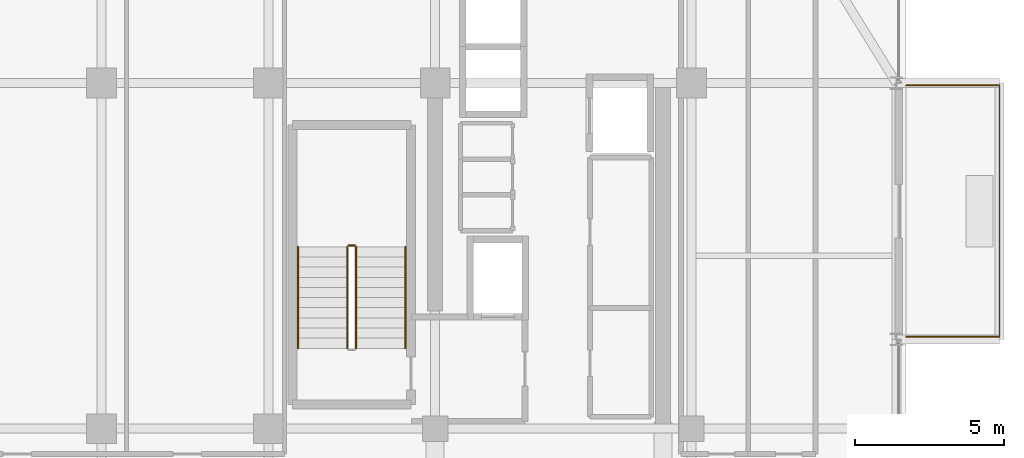
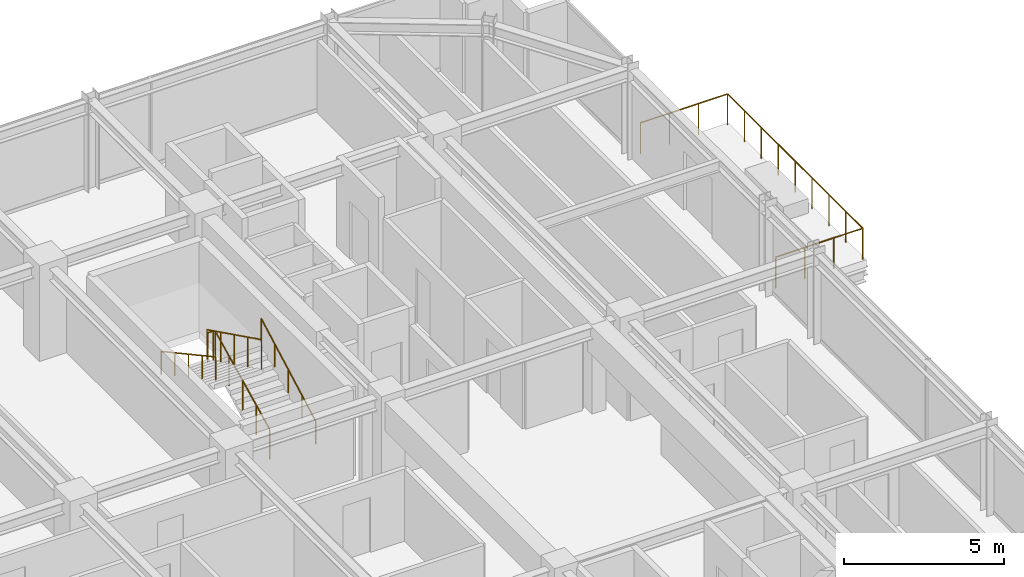
# One storey, part 35 of 36: 6 railings.
"""IFC4 building model written with IfcOpenShell, lengths in metres."""

from ifc_helpers import new_model, si_unit, direction, frame, origin, origin_2d, place, context, subcontext, project, spatial, circle, extrude, material, type_object, element, save


model = new_model("IFC4")

# Units and contexts
model_context = context("Model", 3, precision=1e-05, world=origin(), true_north=direction((0.0, 1.0)))
body_context = subcontext(model_context, "Body", "Model", "MODEL_VIEW")
ifc_project = project(units=[si_unit("LENGTHUNIT", "METRE"), si_unit("AREAUNIT", "SQUARE_METRE"), si_unit("VOLUMEUNIT", "CUBIC_METRE"), si_unit("PLANEANGLEUNIT", "RADIAN"), si_unit("MASSUNIT", "GRAM", prefix="KILO")], contexts=[model_context])

# Site, building, storey
site_placement = place(None, origin())
site = spatial("IfcSite", under=ifc_project, at=site_placement, CompositionType="ELEMENT")
building_placement = place(site_placement, origin())
building = spatial("IfcBuilding", under=site, at=building_placement, Name="Nahalor Promenade Grand Hotel", CompositionType="ELEMENT")
storey_placement = place(building_placement, frame((0.0, 0.0, 223.39990234375)))
storey = spatial("IfcBuildingStorey", under=building, at=storey_placement, Name="L57", CompositionType="ELEMENT", Elevation=223.39990234375)

# Railings
ifc_material_1 = material(Name="Anodised Bronze Aluminium EN AW-6063 T6", Category="aluminium")
railing_type_1 = type_object("IfcRailingType", Name="Bronze Balcony Guardrail 1200 mm", PredefinedType="GUARDRAIL", material=ifc_material_1)
railing_1_placement = place(storey_placement, frame((24.199951171875, 8.47998046875, 0.0)))
element("IfcRailing", 1, at=railing_1_placement, inside=storey, type_object=railing_type_1, Name="L57 Balcony Guardrail 2", PredefinedType="GUARDRAIL", context=body_context, shape_type="SweptSolid", body=[
    extrude(circle(Radius=0.024048, at=origin_2d()), frame((0.0, 0.0, 1.17578125), z_axis=(1.0, 0.0, 0.0), x_axis=(0.0, 1.0, 0.0)), (0.0, 0.0, 1.0), 3.13818359375),
    extrude(circle(Radius=0.024048, at=origin_2d()), frame((3.14013671875, 0.001953125, 1.17578125), z_axis=(0.0, 1.0, 0.0), x_axis=(-1.0, 0.0, 0.0)), (0.0, 0.0, 1.0), 8.43603515625),
    extrude(circle(Radius=0.024048, at=origin_2d()), frame((3.13818359375, 8.43994140625, 1.17578125), z_axis=(-1.0, 0.0, 0.0), x_axis=(0.0, -1.0, 0.0)), (0.0, 0.0, 1.0), 3.13818359375),
    extrude(circle(Radius=0.020996, at=origin_2d()), origin(), (0.0, 0.0, 1.0), 1.14990234375),
    extrude(circle(Radius=0.020996, at=origin_2d()), frame((1.046630859375, 0.0, 0.0)), (0.0, 0.0, 1.0), 1.14990234375),
    extrude(circle(Radius=0.020996, at=origin_2d()), frame((2.093505859375, 0.0, 0.0)), (0.0, 0.0, 1.0), 1.14990234375),
    extrude(circle(Radius=0.020996, at=origin_2d()), frame((3.14013671875, 0.0, 0.0)), (0.0, 0.0, 1.0), 1.14990234375),
    extrude(circle(Radius=0.020996, at=origin_2d()), frame((3.14013671875, 1.054931640625, 0.0)), (0.0, 0.0, 1.0), 1.14990234375),
    extrude(circle(Radius=0.020996, at=origin_2d()), frame((3.14013671875, 2.10986328125, 0.0)), (0.0, 0.0, 1.0), 1.14990234375),
    extrude(circle(Radius=0.020996, at=origin_2d()), frame((3.14013671875, 3.1650390625, 0.0)), (0.0, 0.0, 1.0), 1.14990234375),
    extrude(circle(Radius=0.020996, at=origin_2d()), frame((3.14013671875, 4.219970703125, 0.0)), (0.0, 0.0, 1.0), 1.14990234375),
    extrude(circle(Radius=0.020996, at=origin_2d()), frame((3.14013671875, 5.27490234375, 0.0)), (0.0, 0.0, 1.0), 1.14990234375),
    extrude(circle(Radius=0.020996, at=origin_2d()), frame((3.14013671875, 6.330078125, 0.0)), (0.0, 0.0, 1.0), 1.14990234375),
    extrude(circle(Radius=0.020996, at=origin_2d()), frame((3.14013671875, 7.385009765625, 0.0)), (0.0, 0.0, 1.0), 1.14990234375),
    extrude(circle(Radius=0.020996, at=origin_2d()), frame((3.14013671875, 8.43994140625, 0.0)), (0.0, 0.0, 1.0), 1.14990234375),
    extrude(circle(Radius=0.020996, at=origin_2d()), frame((2.093505859375, 8.43994140625, 0.0)), (0.0, 0.0, 1.0), 1.14990234375),
    extrude(circle(Radius=0.020996, at=origin_2d()), frame((1.046630859375, 8.43994140625, 0.0)), (0.0, 0.0, 1.0), 1.14990234375),
    extrude(circle(Radius=0.020996, at=origin_2d()), frame((0.0, 8.43994140625, 0.0)), (0.0, 0.0, 1.0), 1.14990234375),
])
ifc_material_2 = material(Name="Steel S355JR", Category="steel")
railing_type_2 = type_object("IfcRailingType", Name="Steel Stair Guardrail 1150 mm", PredefinedType="GUARDRAIL", material=ifc_material_2)
railing_2_placement = place(storey_placement, frame((5.75, 8.10009765625, 0.168212890625)))
element("IfcRailing", 2, at=railing_2_placement, inside=storey, type_object=railing_type_2, Name="L57 ST1 stair guard 1", PredefinedType="GUARDRAIL", context=body_context, shape_type="SweptSolid", body=[
    extrude(circle(Radius=0.024048, at=origin_2d()), frame((0.0, 0.0, 1.1259765625), z_axis=(0.0, 0.896324230515, 0.443399226197), x_axis=(-1.0, 0.0, 0.0)), (0.0, 0.0, 1.0), 3.793212890625),
    extrude(circle(Radius=0.020996, at=origin_2d()), origin(), (0.0, 0.0, 1.0), 1.099853515625),
    extrude(circle(Radius=0.020996, at=origin_2d()), frame((0.0, 0.85009765625, 0.42041015625)), (0.0, 0.0, 1.0), 1.099853515625),
    extrude(circle(Radius=0.020996, at=origin_2d()), frame((0.0, 1.699951171875, 0.8408203125)), (0.0, 0.0, 1.0), 1.099853515625),
    extrude(circle(Radius=0.020996, at=origin_2d()), frame((0.0, 2.5498046875, 1.261474609375)), (0.0, 0.0, 1.0), 1.099853515625),
    extrude(circle(Radius=0.020996, at=origin_2d()), frame((0.0, 3.39990234375, 1.681884765625)), (0.0, 0.0, 1.0), 1.099853515625),
])
railing_3_placement = place(storey_placement, frame((5.699951171875, 11.550048828125, 1.85009765625)))
element("IfcRailing", 3, at=railing_3_placement, inside=storey, type_object=railing_type_2, Name="L57 ST1 stair guard 2", PredefinedType="GUARDRAIL", context=body_context, shape_type="SweptSolid", body=[
    extrude(circle(Radius=0.024048, at=origin_2d()), frame((0.0, 0.0, 1.1259765625), z_axis=(-1.0, 0.0, 0.0), x_axis=(0.0, -1.0, 0.0)), (0.0, 0.0, 1.0), 0.199951171875),
    extrude(circle(Radius=0.020996, at=origin_2d()), origin(), (0.0, 0.0, 1.0), 1.099853515625),
    extrude(circle(Radius=0.020996, at=origin_2d()), frame((-0.199951171875, 0.0, 0.0)), (0.0, 0.0, 1.0), 1.099853515625),
])
railing_4_placement = place(storey_placement, frame((5.449951171875, 11.5, 2.018310546875)))
element("IfcRailing", 4, at=railing_4_placement, inside=storey, type_object=railing_type_2, Name="L57 ST1 stair guard 3", PredefinedType="GUARDRAIL", context=body_context, shape_type="SweptSolid", body=[
    extrude(circle(Radius=0.024048, at=origin_2d()), frame((0.0, 0.0, 1.1259765625), z_axis=(0.0, -0.896324230515, 0.443399226197), x_axis=(1.0, 0.0, 0.0)), (0.0, 0.0, 1.0), 3.793212890625),
    extrude(circle(Radius=0.020996, at=origin_2d()), origin(), (0.0, 0.0, 1.0), 1.099853515625),
    extrude(circle(Radius=0.020996, at=origin_2d()), frame((0.0, -0.85009765625, 0.42041015625)), (0.0, 0.0, 1.0), 1.099853515625),
    extrude(circle(Radius=0.020996, at=origin_2d()), frame((0.0, -1.699951171875, 0.8408203125)), (0.0, 0.0, 1.0), 1.099853515625),
    extrude(circle(Radius=0.020996, at=origin_2d()), frame((0.0, -2.5498046875, 1.261474609375)), (0.0, 0.0, 1.0), 1.099853515625),
    extrude(circle(Radius=0.020996, at=origin_2d()), frame((0.0, -3.39990234375, 1.681884765625)), (0.0, 0.0, 1.0), 1.099853515625),
])
railing_type_3 = type_object("IfcRailingType", Name="Steel Stair Handrail 900 mm", PredefinedType="HANDRAIL", material=ifc_material_2)
railing_5_placement = place(storey_placement, frame((7.39990234375, 8.10009765625, 0.168212890625)))
element("IfcRailing", 5, at=railing_5_placement, inside=storey, type_object=railing_type_3, Name="L57 ST1 stair handrail 1", PredefinedType="HANDRAIL", context=body_context, shape_type="SweptSolid", body=[
    extrude(circle(Radius=0.024048, at=origin_2d()), frame((0.0, 0.0, 0.8759765625), z_axis=(0.0, 0.87837241229, 0.47797688786), x_axis=(-1.0, 0.0, 0.0)), (0.0, 0.0, 1.0), 3.87060546875),
    extrude(circle(Radius=0.020996, at=origin_2d()), origin(), (0.0, 0.0, 1.0), 0.849853515625),
    extrude(circle(Radius=0.020996, at=origin_2d()), frame((0.0, 0.85009765625, 0.46240234375)), (0.0, 0.0, 1.0), 0.849853515625),
    extrude(circle(Radius=0.020996, at=origin_2d()), frame((0.0, 1.699951171875, 0.925048828125)), (0.0, 0.0, 1.0), 0.849853515625),
    extrude(circle(Radius=0.020996, at=origin_2d()), frame((0.0, 2.5498046875, 1.3876953125)), (0.0, 0.0, 1.0), 0.849853515625),
    extrude(circle(Radius=0.020996, at=origin_2d()), frame((0.0, 3.39990234375, 1.85009765625)), (0.0, 0.0, 1.0), 0.849853515625),
])
railing_6_placement = place(storey_placement, frame((3.800048828125, 11.5, 2.018310546875)))
element("IfcRailing", 6, at=railing_6_placement, inside=storey, type_object=railing_type_3, Name="L57 ST1 stair handrail 2", PredefinedType="HANDRAIL", context=body_context, shape_type="SweptSolid", body=[
    extrude(circle(Radius=0.024048, at=origin_2d()), frame((0.0, 0.0, 0.8759765625), z_axis=(0.0, -0.878398892953, 0.47792822145), x_axis=(1.0, 0.0, 0.0)), (0.0, 0.0, 1.0), 3.87060546875),
    extrude(circle(Radius=0.020996, at=origin_2d()), origin(), (0.0, 0.0, 1.0), 0.849853515625),
    extrude(circle(Radius=0.020996, at=origin_2d()), frame((0.0, -0.85009765625, 0.46240234375)), (0.0, 0.0, 1.0), 0.849853515625),
    extrude(circle(Radius=0.020996, at=origin_2d()), frame((0.0, -1.699951171875, 0.9248046875)), (0.0, 0.0, 1.0), 0.849853515625),
    extrude(circle(Radius=0.020996, at=origin_2d()), frame((0.0, -2.5498046875, 1.387451171875)), (0.0, 0.0, 1.0), 0.849853515625),
    extrude(circle(Radius=0.020996, at=origin_2d()), frame((0.0, -3.39990234375, 1.849853515625)), (0.0, 0.0, 1.0), 0.849853515625),
])

save(model, "model.ifc")
